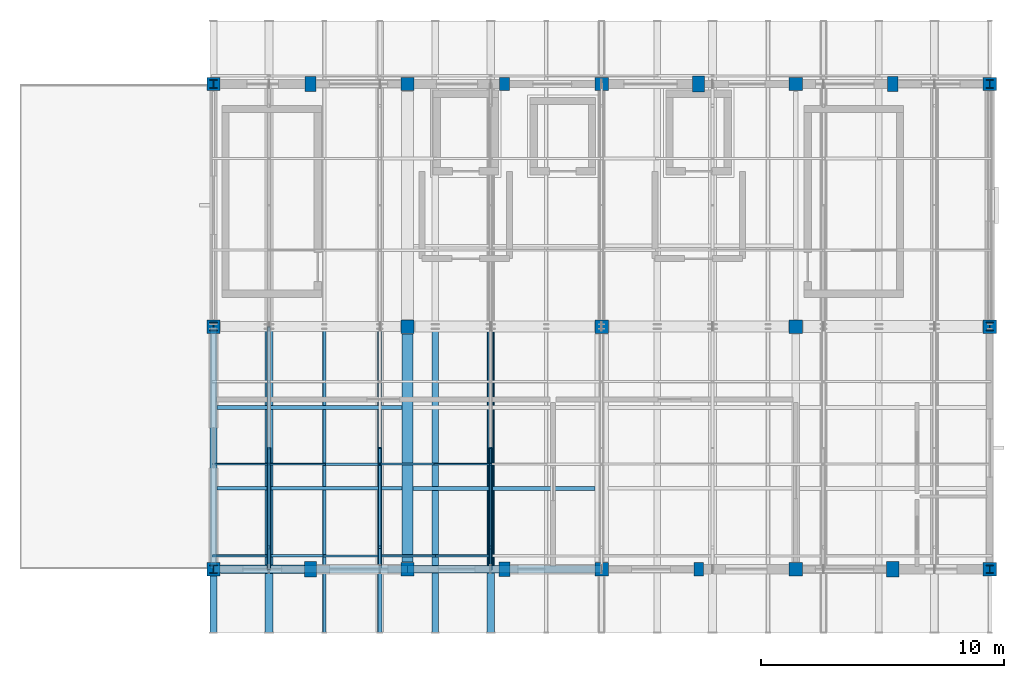
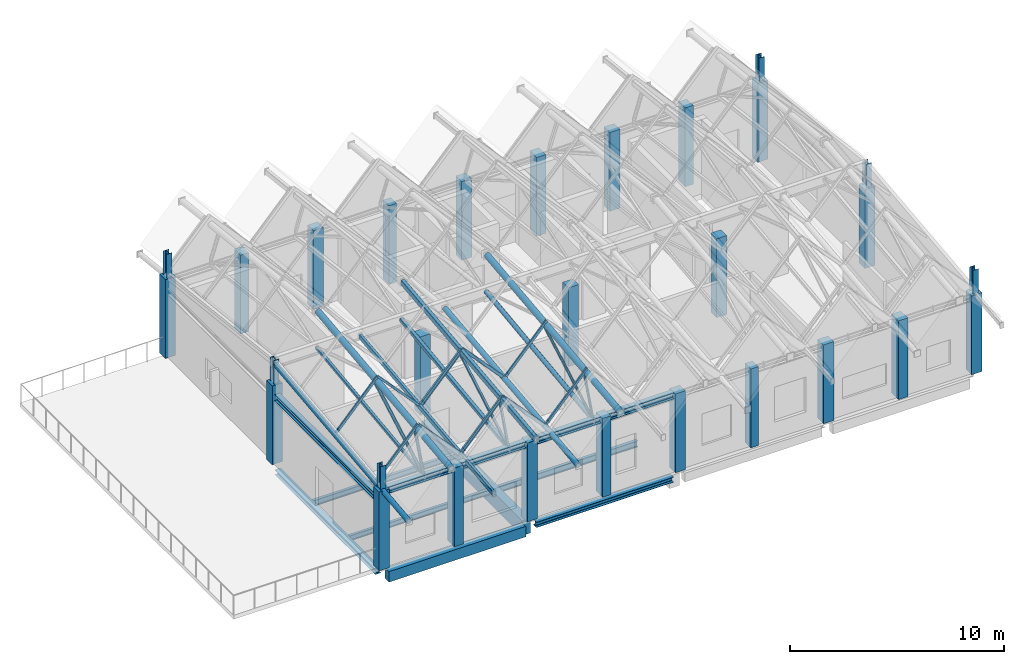
# One storey, part 1 of 15: 29 columns, 19 members, 16 beams.
"""IFC4 building model written with IfcOpenShell, lengths in metres."""

from ifc_helpers import new_model, si_unit, direction, frame, origin, origin_2d, place, context, subcontext, project, spatial, rectangle, hollow_rectangle, hollow_circle, i_section, extrude, material, material_profile, profile_set, type_object, element, save


model = new_model("IFC4")

# Units and contexts
model_context = context("Model", 3, precision=1e-05, world=origin(), true_north=direction((0.0, 1.0)))
body_context = subcontext(model_context, "Body", "Model", "MODEL_VIEW")
ifc_project = project(units=[si_unit("LENGTHUNIT", "METRE"), si_unit("AREAUNIT", "SQUARE_METRE"), si_unit("VOLUMEUNIT", "CUBIC_METRE"), si_unit("PLANEANGLEUNIT", "RADIAN"), si_unit("MASSUNIT", "GRAM", prefix="KILO")], contexts=[model_context])

# Site, building, storey
site_placement = place(None, origin())
site = spatial("IfcSite", under=ifc_project, at=site_placement, CompositionType="ELEMENT")
building_placement = place(site_placement, origin())
building = spatial("IfcBuilding", under=site, at=building_placement, Name="Luwemba Playhouse", CompositionType="ELEMENT")
storey_placement = place(building_placement, frame((0.0, 0.0, 22.800048828125)))
storey = spatial("IfcBuildingStorey", under=building, at=storey_placement, Name="L05", CompositionType="ELEMENT", Elevation=22.800048828125)

# Columns
ifc_material_1 = material(Name="Concrete C40/50", Category="concrete")
ifc_material_profile_1 = material_profile(ifc_material_1, rectangle(XDim=0.550048828125, YDim=0.550048828125, at=origin_2d()))
ifc_profile_set_1 = profile_set([ifc_material_profile_1], Name="Concrete C40/50")
column_type_1 = type_object("IfcColumnType", Name="COL-C03", PredefinedType="COLUMN", material=ifc_profile_set_1)
for number, where, z_axis, x_axis, name in (
    (1, (140.0, 95.0, 0.0), (0.0, 0.0, 1.0), (1.0, 0.0, 0.0), "L05 column 207"),
    (2, (140.0, 105.0, 0.0), (0.0, 0.0, 1.0), (1.0, 0.0, 0.0), "L05 column 208"),
    (3, (140.0, 115.0, 0.0), (0.0, 0.0, 1.0), (1.0, 0.0, 0.0), "L05 column 209"),
    (4, (148.0, 95.0, 0.0), (0.0, 0.0, 1.0), (1.0, 0.0, 0.0), "L05 column 230"),
    (5, (148.0, 105.0, 0.0), (0.0, 0.0, 1.0), (1.0, 0.0, 0.0), "L05 column 231"),
    (6, (148.0, 115.0, 0.0), (0.0, 0.0, 1.0), (1.0, 0.0, 0.0), "L05 column 232"),
    (7, (156.0, 95.0, 0.0), (0.0, 0.0, 1.0), (1.0, 0.0, 0.0), "L05 column 253"),
    (8, (156.0, 105.0, 0.0), (0.0, 0.0, 1.0), (1.0, 0.0, 0.0), "L05 column 254"),
    (9, (156.0, 115.0, 0.0), (0.0, 0.0, 1.0), (1.0, 0.0, 0.0), "L05 column 255"),
    (10, (164.0, 95.0, 0.0), (0.0, 0.0, 1.0), (1.0, 0.0, 0.0), "L05 column 276"),
    (11, (164.0, 105.0, 0.0), (0.0, 0.0, 1.0), (1.0, 0.0, 0.0), "L05 column 277"),
    (12, (164.0, 115.0, 0.0), (0.0, 0.0, 1.0), (1.0, 0.0, 0.0), "L05 column 278"),
    (13, (172.0, 95.0, 0.0), (0.0, 0.0, 1.0), (1.0, 0.0, 0.0), "L05 column 299"),
    (14, (172.0, 105.0, 0.0), (0.0, 0.0, 1.0), (1.0, 0.0, 0.0), "L05 column 300"),
    (15, (172.0, 115.0, 0.0), (0.0, 0.0, 1.0), (1.0, 0.0, 0.0), "L05 column 301"),
):
    element("IfcColumn", number, at=place(storey_placement, frame(where, z_axis=z_axis, x_axis=x_axis)), inside=storey, type_object=column_type_1, Name=name, PredefinedType="COLUMN", context=body_context, shape_type="SweptSolid", body=[
        extrude(rectangle(XDim=0.550048828125, YDim=0.550048828125, at=origin_2d()), origin(), (0.0, 0.0, 1.0), 4.5),
    ])
ifc_material_profile_2 = material_profile(ifc_material_1, rectangle(XDim=0.39990234375, YDim=0.550048828125, at=origin_2d()))
ifc_profile_set_2 = profile_set([ifc_material_profile_2], Name="Concrete C40/50")
column_type_2 = type_object("IfcColumnType", Name="COL-PIL1", PredefinedType="PILASTER", material=ifc_profile_set_2)
for number, where, z_axis, x_axis, name in (
    (16, (152.0, 115.0, 0.0), (0.0, 0.0, 1.0), (1.0, 0.0, 0.0), "L05 column 240"),
    (17, (160.0, 95.0, 0.0), (0.0, 0.0, 1.0), (1.0, 0.0, 0.0), "L05 column 262"),
):
    element("IfcColumn", number, at=place(storey_placement, frame(where, z_axis=z_axis, x_axis=x_axis)), inside=storey, type_object=column_type_2, Name=name, PredefinedType="PILASTER", context=body_context, shape_type="SweptSolid", body=[
        extrude(rectangle(XDim=0.39990234375, YDim=0.550048828125, at=origin_2d()), origin(), (0.0, 0.0, 1.0), 4.5),
    ])
ifc_material_profile_3 = material_profile(ifc_material_1, rectangle(XDim=0.449951171875, YDim=0.60009765625, at=origin_2d()))
ifc_profile_set_3 = profile_set([ifc_material_profile_3], Name="Concrete C40/50")
column_type_3 = type_object("IfcColumnType", Name="COL-PIL2", PredefinedType="PILASTER", material=ifc_profile_set_3)
for number, where, z_axis, x_axis, name in (
    (18, (144.0, 115.0, 0.0), (0.0, 0.0, 1.0), (1.0, 0.0, 0.0), "L05 column 217"),
    (19, (152.0, 95.0, 0.0), (0.0, 0.0, 1.0), (1.0, 0.0, 0.0), "L05 column 239"),
    (20, (168.0, 115.0, 0.0), (0.0, 0.0, 1.0), (1.0, 0.0, 0.0), "L05 column 286"),
):
    element("IfcColumn", number, at=place(storey_placement, frame(where, z_axis=z_axis, x_axis=x_axis)), inside=storey, type_object=column_type_3, Name=name, PredefinedType="PILASTER", context=body_context, shape_type="SweptSolid", body=[
        extrude(rectangle(XDim=0.449951171875, YDim=0.60009765625, at=origin_2d()), origin(), (0.0, 0.0, 1.0), 4.5),
    ])
ifc_material_profile_4 = material_profile(ifc_material_1, rectangle(XDim=0.5, YDim=0.64990234375, at=origin_2d()))
ifc_profile_set_4 = profile_set([ifc_material_profile_4], Name="Concrete C40/50")
column_type_4 = type_object("IfcColumnType", Name="COL-PIL3", PredefinedType="PILASTER", material=ifc_profile_set_4)
for number, where, z_axis, x_axis, name in (
    (21, (144.0, 95.0, 0.0), (0.0, 0.0, 1.0), (1.0, 0.0, 0.0), "L05 column 216"),
    (22, (160.0, 115.0, 0.0), (0.0, 0.0, 1.0), (1.0, 0.0, 0.0), "L05 column 263"),
    (23, (168.0, 95.0, 0.0), (0.0, 0.0, 1.0), (1.0, 0.0, 0.0), "L05 column 285"),
):
    element("IfcColumn", number, at=place(storey_placement, frame(where, z_axis=z_axis, x_axis=x_axis)), inside=storey, type_object=column_type_4, Name=name, PredefinedType="PILASTER", context=body_context, shape_type="SweptSolid", body=[
        extrude(rectangle(XDim=0.5, YDim=0.64990234375, at=origin_2d()), origin(), (0.0, 0.0, 1.0), 4.5),
    ])
ifc_material_2 = material(Name="Steel S355", Category="steel")
ifc_material_profile_5 = material_profile(ifc_material_2, i_section(OverallWidth=0.300048828125, OverallDepth=0.340087890625, WebThickness=0.011962890625, FlangeThickness=0.021484375, FilletRadius=0.027099609375, at=origin_2d()))
ifc_profile_set_5 = profile_set([ifc_material_profile_5], Name="Steel S355")
column_type_5 = type_object("IfcColumnType", Name="COL-SC2", PredefinedType="COLUMN", material=ifc_profile_set_5)
for number, where, z_axis, x_axis, name in (
    (24, (140.0, 95.0, 4.5), (0.0, 0.0, 1.0), (1.0, 0.0, 0.0), "RF-V6E south corner apex stub"),
    (25, (140.0, 115.0, 4.5), (0.0, 0.0, 1.0), (1.0, 0.0, 0.0), "RF-V6E north corner apex stub"),
    (26, (140.0, 105.0, 4.5), (0.0, 0.0, 1.0), (1.0, 0.0, 0.0), "RF-V6E mid corner apex stub"),
    (27, (172.0, 95.0, 4.5), (0.0, 0.0, 1.0), (1.0, 0.0, 0.0), "RF-V6E south corner apex stub"),
    (28, (172.0, 115.0, 4.5), (0.0, 0.0, 1.0), (1.0, 0.0, 0.0), "RF-V6E north corner apex stub"),
    (29, (172.0, 105.0, 4.5), (0.0, 0.0, 1.0), (1.0, 0.0, 0.0), "RF-V6E mid corner apex stub"),
):
    element("IfcColumn", number, at=place(storey_placement, frame(where, z_axis=z_axis, x_axis=x_axis)), inside=storey, type_object=column_type_5, Name=name, PredefinedType="COLUMN", context=body_context, shape_type="SweptSolid", body=[
        extrude(i_section(OverallWidth=0.300048828125, OverallDepth=0.340087890625, WebThickness=0.011962890625, FlangeThickness=0.021484375, FilletRadius=0.027099609375, at=origin_2d()), origin(), (0.0, 0.0, 1.0), 1.341552734375),
    ])

# Beams
ifc_material_profile_6 = material_profile(ifc_material_1, rectangle(XDim=0.449951171875, YDim=0.85009765625, at=origin_2d()))
ifc_profile_set_6 = profile_set([ifc_material_profile_6], Name="Concrete C40/50")
beam_type_1 = type_object("IfcBeamType", Name="BM-RB05", PredefinedType="BEAM", material=ifc_profile_set_6)
beam_1_placement = place(storey_placement, frame((148.0, 95.300048828125, -0.72509765625), z_axis=(0.0, 1.0, 0.0), x_axis=(-1.0, 0.0, 0.0)))
element("IfcBeam", 30, at=beam_1_placement, inside=storey, type_object=beam_type_1, Name="L05 transverse girder 0956", PredefinedType="BEAM", context=body_context, shape_type="SweptSolid", body=[
    extrude(rectangle(XDim=0.449951171875, YDim=0.85009765625, at=origin_2d()), origin(), (0.0, 0.0, 1.0), 9.39990234375),
])
ifc_material_profile_7 = material_profile(ifc_material_2, hollow_rectangle(XDim=0.14990234375, YDim=0.25, WallThickness=0.010009765625, InnerFilletRadius=0.014892578125, OuterFilletRadius=0.02490234375, at=origin_2d()))
ifc_profile_set_7 = profile_set([ifc_material_profile_7], Name="Steel S355")
beam_type_2 = type_object("IfcBeamType", Name="BM-RTG1", PredefinedType="USERDEFINED", material=ifc_profile_set_7)
beam_2_placement = place(storey_placement, frame((144.5712890625, 92.39990234375, 4.156982421875), z_axis=(0.0, 0.993768782613, 0.111461234087), x_axis=(-1.0, 0.0, 0.0)))
element("IfcBeam", 31, at=beam_2_placement, inside=storey, type_object=beam_type_2, Name="ROOF TRUSS valley girder 0414", ObjectType="ROOF TRUSS", PredefinedType="USERDEFINED", context=body_context, shape_type="SweptSolid", body=[
    extrude(hollow_rectangle(XDim=0.14990234375, YDim=0.25, WallThickness=0.010009765625, InnerFilletRadius=0.014892578125, OuterFilletRadius=0.02490234375, at=origin_2d()), origin(), (0.0, 0.0, 1.0), 12.568359375),
])
ifc_material_profile_8 = material_profile(ifc_material_2, hollow_rectangle(XDim=0.199951171875, YDim=0.300048828125, WallThickness=0.012451171875, InnerFilletRadius=0.018798828125, OuterFilletRadius=0.03125, at=origin_2d()))
ifc_profile_set_8 = profile_set([ifc_material_profile_8], Name="Steel S355")
beam_type_3 = type_object("IfcBeamType", Name="BM-RTG2", PredefinedType="USERDEFINED", material=ifc_profile_set_8)
beam_3_placement = place(storey_placement, frame((146.857177734375, 92.39990234375, 6.448486328125), z_axis=(0.0, 0.993766630778, 0.111480417796), x_axis=(-1.0, 0.0, 0.0)))
element("IfcBeam", 32, at=beam_3_placement, inside=storey, type_object=beam_type_3, Name="ROOF TRUSS ridge girder 0416", ObjectType="ROOF TRUSS", PredefinedType="USERDEFINED", context=body_context, shape_type="SweptSolid", body=[
    extrude(hollow_rectangle(XDim=0.199951171875, YDim=0.300048828125, WallThickness=0.012451171875, InnerFilletRadius=0.018798828125, OuterFilletRadius=0.03125, at=origin_2d()), origin(), (0.0, 0.0, 1.0), 12.568359375),
])
ifc_material_profile_9 = material_profile(ifc_material_2, hollow_circle(Radius=0.136474609375, WallThickness=0.012451171875, at=origin_2d()))
ifc_profile_set_9 = profile_set([ifc_material_profile_9], Name="Steel S355")
beam_type_4 = type_object("IfcBeamType", Name="BM-RTG3", PredefinedType="USERDEFINED", material=ifc_profile_set_9)
for number, where, z_axis, x_axis, name in (
    (33, (140.0, 92.39990234375, 4.1455078125), (0.0, 0.993766630778, 0.111480417796), (-1.0, 0.0, 0.0), "ROOF TRUSS valley girder 0410"),
    (34, (149.142822265625, 92.39990234375, 4.1455078125), (0.0, 0.993766630778, 0.111480417796), (-1.0, 0.0, 0.0), "ROOF TRUSS valley girder 0418"),
):
    element("IfcBeam", number, at=place(storey_placement, frame(where, z_axis=z_axis, x_axis=x_axis)), inside=storey, type_object=beam_type_4, Name=name, ObjectType="ROOF TRUSS", PredefinedType="USERDEFINED", context=body_context, shape_type="SweptSolid", body=[
        extrude(hollow_circle(Radius=0.136474609375, WallThickness=0.012451171875, at=origin_2d()), origin(), (0.0, 0.0, 1.0), 12.568359375),
    ])
ifc_material_profile_10 = material_profile(ifc_material_2, hollow_circle(Radius=0.161865234375, WallThickness=0.01611328125, at=origin_2d()))
ifc_profile_set_10 = profile_set([ifc_material_profile_10], Name="Steel S355")
beam_type_5 = type_object("IfcBeamType", Name="BM-RTG4", PredefinedType="USERDEFINED", material=ifc_profile_set_10)
for number, where, z_axis, x_axis, name in (
    (35, (142.28564453125, 92.39990234375, 6.369384765625), (0.0, 0.993766630778, 0.111480417796), (-1.0, 0.0, 0.0), "ROOF TRUSS ridge girder 0412"),
    (36, (151.4287109375, 92.39990234375, 6.369384765625), (0.0, 0.993768782613, 0.111461234087), (-1.0, 0.0, 0.0), "ROOF TRUSS ridge girder 0420"),
):
    element("IfcBeam", number, at=place(storey_placement, frame(where, z_axis=z_axis, x_axis=x_axis)), inside=storey, type_object=beam_type_5, Name=name, ObjectType="ROOF TRUSS", PredefinedType="USERDEFINED", context=body_context, shape_type="SweptSolid", body=[
        extrude(hollow_circle(Radius=0.161865234375, WallThickness=0.01611328125, at=origin_2d()), origin(), (0.0, 0.0, 1.0), 12.568359375),
    ])
ifc_material_profile_11 = material_profile(ifc_material_2, i_section(OverallWidth=0.300048828125, OverallDepth=0.360107421875, WebThickness=0.012451171875, FlangeThickness=0.0224609375, FilletRadius=0.027099609375, at=origin_2d()))
ifc_profile_set_11 = profile_set([ifc_material_profile_11], Name="Steel S355")
beam_type_6 = type_object("IfcBeamType", Name="BM-SB09", PredefinedType="BEAM", material=ifc_profile_set_11)
for number, where, z_axis, x_axis, name in (
    (37, (140.0, 95.0, 4.320068359375), (1.0, 0.0, 0.0), (0.0, 1.0, 0.0), "RF-V6E eave ring beam 0395"),
    (38, (148.0, 95.0, 4.320068359375), (1.0, 0.0, 0.0), (0.0, 1.0, 0.0), "RF-V6E eave ring beam 0396"),
):
    element("IfcBeam", number, at=place(storey_placement, frame(where, z_axis=z_axis, x_axis=x_axis)), inside=storey, type_object=beam_type_6, Name=name, PredefinedType="BEAM", context=body_context, shape_type="SweptSolid", body=[
        extrude(i_section(OverallWidth=0.300048828125, OverallDepth=0.360107421875, WebThickness=0.012451171875, FlangeThickness=0.0224609375, FilletRadius=0.027099609375, at=origin_2d()), origin(), (0.0, 0.0, 1.0), 8.0),
    ])
beam_4_placement = place(storey_placement, frame((140.0, 95.0, 3.780029296875), z_axis=(0.0, 1.0, 0.0), x_axis=(-1.0, 0.0, 0.0)))
element("IfcBeam", 39, at=beam_4_placement, inside=storey, type_object=beam_type_6, Name="RF-V6E gable ring beam 0403", PredefinedType="BEAM", context=body_context, shape_type="SweptSolid", body=[
    extrude(i_section(OverallWidth=0.300048828125, OverallDepth=0.360107421875, WebThickness=0.012451171875, FlangeThickness=0.0224609375, FilletRadius=0.027099609375, at=origin_2d()), origin(), (0.0, 0.0, 1.0), 10.0),
])
ifc_material_profile_12 = material_profile(ifc_material_2, i_section(OverallWidth=0.14990234375, OverallDepth=0.300048828125, WebThickness=0.007080078125, FlangeThickness=0.0107421875, FilletRadius=0.014892578125, at=origin_2d()))
ifc_profile_set_12 = profile_set([ifc_material_profile_12], Name="Steel S355")
beam_type_7 = type_object("IfcBeamType", Name="BM-SJ05", PredefinedType="JOIST", material=ifc_profile_set_12)
beam_5_placement = place(storey_placement, frame((140.14599609375, 98.333251953125, -0.449951171875), z_axis=(1.0, 0.0, 0.0), x_axis=(0.0, 1.0, 0.0)))
element("IfcBeam", 40, at=beam_5_placement, inside=storey, type_object=beam_type_7, Name="L05 composite floor joist 0536", PredefinedType="JOIST", context=body_context, shape_type="SweptSolid", body=[
    extrude(i_section(OverallWidth=0.14990234375, OverallDepth=0.300048828125, WebThickness=0.007080078125, FlangeThickness=0.0107421875, FilletRadius=0.014892578125, at=origin_2d()), origin(), (0.0, 0.0, 1.0), 7.633056640625),
])
ifc_material_profile_13 = material_profile(ifc_material_2, i_section(OverallWidth=0.159912109375, OverallDepth=0.330078125, WebThickness=0.007568359375, FlangeThickness=0.011474609375, FilletRadius=0.01806640625, at=origin_2d()))
ifc_profile_set_13 = profile_set([ifc_material_profile_13], Name="Steel S355")
beam_type_8 = type_object("IfcBeamType", Name="BM-SJ06", PredefinedType="JOIST", material=ifc_profile_set_13)
beam_6_placement = place(storey_placement, frame((140.14599609375, 101.666748046875, -0.465087890625), z_axis=(1.0, 0.0, 0.0), x_axis=(0.0, 1.0, 0.0)))
element("IfcBeam", 41, at=beam_6_placement, inside=storey, type_object=beam_type_8, Name="L05 composite floor joist 0537", PredefinedType="JOIST", context=body_context, shape_type="SweptSolid", body=[
    extrude(i_section(OverallWidth=0.159912109375, OverallDepth=0.330078125, WebThickness=0.007568359375, FlangeThickness=0.011474609375, FilletRadius=0.01806640625, at=origin_2d()), origin(), (0.0, 0.0, 1.0), 7.633056640625),
])
ifc_material_profile_14 = material_profile(ifc_material_2, i_section(OverallWidth=0.169921875, OverallDepth=0.360107421875, WebThickness=0.008056640625, FlangeThickness=0.0126953125, FilletRadius=0.01806640625, at=origin_2d()))
ifc_profile_set_14 = profile_set([ifc_material_profile_14], Name="Steel S355")
beam_type_9 = type_object("IfcBeamType", Name="BM-SJ07", PredefinedType="JOIST", material=ifc_profile_set_14)
beam_7_placement = place(storey_placement, frame((148.220947265625, 98.333251953125, -0.47998046875), z_axis=(1.0, 0.0, 0.0), x_axis=(0.0, 1.0, 0.0)))
element("IfcBeam", 42, at=beam_7_placement, inside=storey, type_object=beam_type_9, Name="L05 composite floor joist 0538", PredefinedType="JOIST", context=body_context, shape_type="SweptSolid", body=[
    extrude(i_section(OverallWidth=0.169921875, OverallDepth=0.360107421875, WebThickness=0.008056640625, FlangeThickness=0.0126953125, FilletRadius=0.01806640625, at=origin_2d()), origin(), (0.0, 0.0, 1.0), 7.508056640625),
])
ifc_material_profile_15 = material_profile(ifc_material_1, rectangle(XDim=0.35009765625, YDim=0.60009765625, at=origin_2d()))
ifc_profile_set_15 = profile_set([ifc_material_profile_15], Name="Concrete C40/50")
beam_type_10 = type_object("IfcBeamType", Name="BM-SP3", PredefinedType="SPANDREL", material=ifc_profile_set_15)
beam_8_placement = place(storey_placement, frame((140.300048828125, 95.0, -0.60009765625), z_axis=(1.0, 0.0, 0.0), x_axis=(0.0, 1.0, 0.0)))
element("IfcBeam", 43, at=beam_8_placement, inside=storey, type_object=beam_type_10, Name="L05 grid girder 0942", PredefinedType="SPANDREL", context=body_context, shape_type="SweptSolid", body=[
    extrude(rectangle(XDim=0.35009765625, YDim=0.60009765625, at=origin_2d()), origin(), (0.0, 0.0, 1.0), 7.39990234375),
])
ifc_material_profile_16 = material_profile(ifc_material_2, i_section(OverallWidth=0.300048828125, OverallDepth=0.300048828125, WebThickness=0.010986328125, FlangeThickness=0.01904296875, FilletRadius=0.027099609375, at=origin_2d()))
ifc_profile_set_16 = profile_set([ifc_material_profile_16], Name="Steel S355")
beam_type_11 = type_object("IfcBeamType", Name="BM-SSP1", PredefinedType="SPANDREL", material=ifc_profile_set_16)
beam_9_placement = place(storey_placement, frame((148.300048828125, 95.0, -0.449951171875), z_axis=(1.0, 0.0, 0.0), x_axis=(0.0, 1.0, 0.0)))
element("IfcBeam", 44, at=beam_9_placement, inside=storey, type_object=beam_type_11, Name="L05 grid girder 0943", PredefinedType="SPANDREL", context=body_context, shape_type="SweptSolid", body=[
    extrude(i_section(OverallWidth=0.300048828125, OverallDepth=0.300048828125, WebThickness=0.010986328125, FlangeThickness=0.01904296875, FilletRadius=0.027099609375, at=origin_2d()), origin(), (0.0, 0.0, 1.0), 7.39990234375),
])
beam_10_placement = place(storey_placement, frame((140.0, 95.300048828125, -0.449951171875), z_axis=(0.0, 1.0, 0.0), x_axis=(-1.0, 0.0, 0.0)))
element("IfcBeam", 45, at=beam_10_placement, inside=storey, type_object=beam_type_11, Name="L05 transverse girder 0954", PredefinedType="SPANDREL", context=body_context, shape_type="SweptSolid", body=[
    extrude(i_section(OverallWidth=0.300048828125, OverallDepth=0.300048828125, WebThickness=0.010986328125, FlangeThickness=0.01904296875, FilletRadius=0.027099609375, at=origin_2d()), origin(), (0.0, 0.0, 1.0), 9.39990234375),
])

# Members
ifc_material_profile_17 = material_profile(ifc_material_2, hollow_circle(Radius=0.06982421875, WallThickness=0.008056640625, at=origin_2d()))
ifc_profile_set_17 = profile_set([ifc_material_profile_17], Name="Steel S355")
member_type_1 = type_object("IfcMemberType", Name="MEM-MB01", PredefinedType="BRACE", material=ifc_profile_set_17)
member_1_placement = place(storey_placement, frame((151.4287109375, 95.0, 4.39990234375), z_axis=(0.0, 0.870865998229, 0.491520511403), x_axis=(-1.0, 0.0, 0.0)))
element("IfcMember", 46, at=member_1_placement, inside=storey, type_object=member_type_1, Name="ROOF TRUSS web diagonal 0363", PredefinedType="BRACE", context=body_context, shape_type="SweptSolid", body=[
    extrude(hollow_circle(Radius=0.06982421875, WallThickness=0.008056640625, at=origin_2d()), origin(), (0.0, 0.0, 1.0), 5.741455078125),
])
member_2_placement = place(storey_placement, frame((151.4287109375, 95.0, 4.39990234375), z_axis=(0.0, 0.356019426391, 0.934478554078), x_axis=(-1.0, 0.0, 0.0)))
element("IfcMember", 47, at=member_2_placement, inside=storey, type_object=member_type_1, Name="ROOF TRUSS eave knee strut 0104", PredefinedType="BRACE", context=body_context, shape_type="SweptSolid", body=[
    extrude(hollow_circle(Radius=0.06982421875, WallThickness=0.008056640625, at=origin_2d()), origin(), (0.0, 0.0, 1.0), 2.527587890625),
])
ifc_material_profile_18 = material_profile(ifc_material_2, hollow_circle(Radius=0.084228515625, WallThickness=0.008056640625, at=origin_2d()))
ifc_profile_set_18 = profile_set([ifc_material_profile_18], Name="Steel S355")
member_type_2 = type_object("IfcMemberType", Name="MEM-MB02", PredefinedType="BRACE", material=ifc_profile_set_18)
member_3_placement = place(storey_placement, frame((142.28564453125, 95.0, 4.39990234375), z_axis=(0.0, 0.870865998229, 0.491520511403), x_axis=(-1.0, 0.0, 0.0)))
element("IfcMember", 48, at=member_3_placement, inside=storey, type_object=member_type_2, Name="ROOF TRUSS web diagonal 0351", PredefinedType="BRACE", context=body_context, shape_type="SweptSolid", body=[
    extrude(hollow_circle(Radius=0.084228515625, WallThickness=0.008056640625, at=origin_2d()), origin(), (0.0, 0.0, 1.0), 5.741455078125),
])
member_4_placement = place(storey_placement, frame((142.28564453125, 95.0, 4.39990234375), z_axis=(0.0, 0.356019426391, 0.934478554078), x_axis=(-1.0, 0.0, 0.0)))
element("IfcMember", 49, at=member_4_placement, inside=storey, type_object=member_type_2, Name="ROOF TRUSS eave knee strut 0100", PredefinedType="BRACE", context=body_context, shape_type="SweptSolid", body=[
    extrude(hollow_circle(Radius=0.084228515625, WallThickness=0.008056640625, at=origin_2d()), origin(), (0.0, 0.0, 1.0), 2.527587890625),
])
ifc_material_profile_19 = material_profile(ifc_material_2, hollow_rectangle(XDim=0.1201171875, YDim=0.1201171875, WallThickness=0.008056640625, InnerFilletRadius=0.011962890625, OuterFilletRadius=0.02001953125, at=origin_2d()))
ifc_profile_set_19 = profile_set([ifc_material_profile_19], Name="Steel S355")
member_type_3 = type_object("IfcMemberType", Name="MEM-MB06", PredefinedType="BRACE", material=ifc_profile_set_19)
member_5_placement = place(storey_placement, frame((146.857177734375, 95.0, 4.39990234375), z_axis=(0.0, 0.864946861272, 0.501863454712), x_axis=(-1.0, 0.0, 0.0)))
element("IfcMember", 50, at=member_5_placement, inside=storey, type_object=member_type_3, Name="ROOF TRUSS web diagonal 0357", PredefinedType="BRACE", context=body_context, shape_type="SweptSolid", body=[
    extrude(hollow_rectangle(XDim=0.1201171875, YDim=0.1201171875, WallThickness=0.008056640625, InnerFilletRadius=0.011962890625, OuterFilletRadius=0.02001953125, at=origin_2d()), origin(), (0.0, 0.0, 1.0), 5.78076171875),
])
member_6_placement = place(storey_placement, frame((146.857177734375, 95.0, 4.39990234375), z_axis=(0.0, 0.345883643125, 0.938277413891), x_axis=(-1.0, 0.0, 0.0)))
element("IfcMember", 51, at=member_6_placement, inside=storey, type_object=member_type_3, Name="ROOF TRUSS eave knee strut 0102", PredefinedType="BRACE", context=body_context, shape_type="SweptSolid", body=[
    extrude(hollow_rectangle(XDim=0.1201171875, YDim=0.1201171875, WallThickness=0.008056640625, InnerFilletRadius=0.011962890625, OuterFilletRadius=0.02001953125, at=origin_2d()), origin(), (0.0, 0.0, 1.0), 2.601806640625),
])
ifc_material_profile_20 = material_profile(ifc_material_2, hollow_circle(Radius=0.122314453125, WallThickness=0.012451171875, at=origin_2d()))
ifc_profile_set_20 = profile_set([ifc_material_profile_20], Name="Steel S355")
member_type_4 = type_object("IfcMemberType", Name="MEM-MC01", PredefinedType="CHORD", material=ifc_profile_set_20)
member_7_placement = place(storey_placement, frame((151.4287109375, 95.0, 4.39990234375), z_axis=(0.0, 0.992378930096, 0.12322361422), x_axis=(-1.0, 0.0, 0.0)))
element("IfcMember", 52, at=member_7_placement, inside=storey, type_object=member_type_4, Name="ROOF TRUSS south bottom chord 0361", PredefinedType="CHORD", context=body_context, shape_type="SweptSolid", body=[
    extrude(hollow_circle(Radius=0.122314453125, WallThickness=0.012451171875, at=origin_2d()), origin(), (0.0, 0.0, 1.0), 10.076904296875),
])
ifc_material_profile_21 = material_profile(ifc_material_2, hollow_rectangle(XDim=0.14990234375, YDim=0.14990234375, WallThickness=0.010009765625, InnerFilletRadius=0.014892578125, OuterFilletRadius=0.02490234375, at=origin_2d()))
ifc_profile_set_21 = profile_set([ifc_material_profile_21], Name="Steel S355")
member_type_5 = type_object("IfcMemberType", Name="MEM-MC02", PredefinedType="CHORD", material=ifc_profile_set_21)
member_8_placement = place(storey_placement, frame((142.28564453125, 95.0, 4.39990234375), z_axis=(0.0, 0.992378930096, 0.12322361422), x_axis=(-1.0, 0.0, 0.0)))
element("IfcMember", 53, at=member_8_placement, inside=storey, type_object=member_type_5, Name="ROOF TRUSS south bottom chord 0349", PredefinedType="CHORD", context=body_context, shape_type="SweptSolid", body=[
    extrude(hollow_rectangle(XDim=0.14990234375, YDim=0.14990234375, WallThickness=0.010009765625, InnerFilletRadius=0.014892578125, OuterFilletRadius=0.02490234375, at=origin_2d()), origin(), (0.0, 0.0, 1.0), 10.076904296875),
])
ifc_material_profile_22 = material_profile(ifc_material_2, hollow_rectangle(XDim=0.199951171875, YDim=0.199951171875, WallThickness=0.012451171875, InnerFilletRadius=0.018798828125, OuterFilletRadius=0.03125, at=origin_2d()))
ifc_profile_set_22 = profile_set([ifc_material_profile_22], Name="Steel S355")
member_type_6 = type_object("IfcMemberType", Name="MEM-MC04", PredefinedType="CHORD", material=ifc_profile_set_22)
member_9_placement = place(storey_placement, frame((146.857177734375, 95.0, 4.39990234375), z_axis=(0.0, 0.992378930096, 0.12322361422), x_axis=(-1.0, 0.0, 0.0)))
element("IfcMember", 54, at=member_9_placement, inside=storey, type_object=member_type_6, Name="ROOF TRUSS south bottom chord 0355", PredefinedType="CHORD", context=body_context, shape_type="SweptSolid", body=[
    extrude(hollow_rectangle(XDim=0.199951171875, YDim=0.199951171875, WallThickness=0.012451171875, InnerFilletRadius=0.018798828125, OuterFilletRadius=0.03125, at=origin_2d()), origin(), (0.0, 0.0, 1.0), 10.076904296875),
])
ifc_material_profile_23 = material_profile(ifc_material_2, hollow_rectangle(XDim=0.080078125, YDim=0.1201171875, WallThickness=0.00634765625, InnerFilletRadius=0.009521484375, OuterFilletRadius=0.015869140625, at=origin_2d()))
ifc_profile_set_23 = profile_set([ifc_material_profile_23], Name="Steel S355")
member_type_7 = type_object("IfcMemberType", Name="MEM-MP01", PredefinedType="PURLIN", material=ifc_profile_set_23)
member_10_placement = place(storey_placement, frame((142.28564453125, 99.330078125, 7.439453125), z_axis=(0.677925133331, 0.0, -0.735130949966), x_axis=(0.0, 1.0, 0.0)))
element("IfcMember", 55, at=member_10_placement, inside=storey, type_object=member_type_7, Name="Pleated roof purlin 0704", PredefinedType="PURLIN", context=body_context, shape_type="SweptSolid", body=[
    extrude(hollow_rectangle(XDim=0.080078125, YDim=0.1201171875, WallThickness=0.00634765625, InnerFilletRadius=0.009521484375, OuterFilletRadius=0.015869140625, at=origin_2d()), origin(), (0.0, 0.0, 1.0), 3.37158203125),
])
ifc_material_profile_24 = material_profile(ifc_material_2, hollow_rectangle(XDim=0.10009765625, YDim=0.14990234375, WallThickness=0.008056640625, InnerFilletRadius=0.011962890625, OuterFilletRadius=0.02001953125, at=origin_2d()))
ifc_profile_set_24 = profile_set([ifc_material_profile_24], Name="Steel S355")
member_type_8 = type_object("IfcMemberType", Name="MEM-MP02", PredefinedType="PURLIN", material=ifc_profile_set_24)
member_11_placement = place(storey_placement, frame((140.0, 95.550048828125, 4.51123046875), z_axis=(0.677961222164, 0.0, 0.735097667825), x_axis=(0.0, 1.0, 0.0)))
element("IfcMember", 56, at=member_11_placement, inside=storey, type_object=member_type_8, Name="Pleated roof purlin 0697", PredefinedType="PURLIN", context=body_context, shape_type="SweptSolid", body=[
    extrude(hollow_rectangle(XDim=0.10009765625, YDim=0.14990234375, WallThickness=0.008056640625, InnerFilletRadius=0.011962890625, OuterFilletRadius=0.02001953125, at=origin_2d()), origin(), (0.0, 0.0, 1.0), 3.371337890625),
])
member_12_placement = place(storey_placement, frame((149.142822265625, 95.550048828125, 4.51123046875), z_axis=(0.678000350765, 0.0, 0.73506157862), x_axis=(0.0, 1.0, 0.0)))
element("IfcMember", 57, at=member_12_placement, inside=storey, type_object=member_type_8, Name="Pleated roof purlin 0721", PredefinedType="PURLIN", context=body_context, shape_type="SweptSolid", body=[
    extrude(hollow_rectangle(XDim=0.10009765625, YDim=0.14990234375, WallThickness=0.008056640625, InnerFilletRadius=0.011962890625, OuterFilletRadius=0.02001953125, at=origin_2d()), origin(), (0.0, 0.0, 1.0), 3.37158203125),
])
ifc_material_profile_25 = material_profile(ifc_material_2, hollow_rectangle(XDim=0.080078125, YDim=0.159912109375, WallThickness=0.00634765625, InnerFilletRadius=0.009521484375, OuterFilletRadius=0.015869140625, at=origin_2d()))
ifc_profile_set_25 = profile_set([ifc_material_profile_25], Name="Steel S355")
member_type_9 = type_object("IfcMemberType", Name="MEM-MP03", PredefinedType="PURLIN", material=ifc_profile_set_25)
member_13_placement = place(storey_placement, frame((140.0, 99.330078125, 4.941162109375), z_axis=(0.677997313204, 0.0, 0.73506438037), x_axis=(0.0, 1.0, 0.0)))
element("IfcMember", 58, at=member_13_placement, inside=storey, type_object=member_type_9, Name="Pleated roof purlin 0698", PredefinedType="PURLIN", context=body_context, shape_type="SweptSolid", body=[
    extrude(hollow_rectangle(XDim=0.080078125, YDim=0.159912109375, WallThickness=0.00634765625, InnerFilletRadius=0.009521484375, OuterFilletRadius=0.015869140625, at=origin_2d()), origin(), (0.0, 0.0, 1.0), 3.37109375),
])
member_14_placement = place(storey_placement, frame((149.142822265625, 99.330078125, 4.941162109375), z_axis=(0.678000350765, 0.0, 0.73506157862), x_axis=(0.0, 1.0, 0.0)))
element("IfcMember", 59, at=member_14_placement, inside=storey, type_object=member_type_9, Name="Pleated roof purlin 0722", PredefinedType="PURLIN", context=body_context, shape_type="SweptSolid", body=[
    extrude(hollow_rectangle(XDim=0.080078125, YDim=0.159912109375, WallThickness=0.00634765625, InnerFilletRadius=0.009521484375, OuterFilletRadius=0.015869140625, at=origin_2d()), origin(), (0.0, 0.0, 1.0), 3.37158203125),
])
ifc_material_profile_26 = material_profile(ifc_material_2, hollow_rectangle(XDim=0.10009765625, YDim=0.179931640625, WallThickness=0.008056640625, InnerFilletRadius=0.011962890625, OuterFilletRadius=0.02001953125, at=origin_2d()))
ifc_profile_set_26 = profile_set([ifc_material_profile_26], Name="Steel S355")
member_type_10 = type_object("IfcMemberType", Name="MEM-MP04", PredefinedType="PURLIN", material=ifc_profile_set_26)
member_15_placement = place(storey_placement, frame((146.857177734375, 95.550048828125, 6.974609375), z_axis=(0.677925133331, 0.0, -0.735130949966), x_axis=(0.0, 1.0, 0.0)))
element("IfcMember", 60, at=member_15_placement, inside=storey, type_object=member_type_10, Name="Pleated roof purlin 0715", PredefinedType="PURLIN", context=body_context, shape_type="SweptSolid", body=[
    extrude(hollow_rectangle(XDim=0.10009765625, YDim=0.179931640625, WallThickness=0.008056640625, InnerFilletRadius=0.011962890625, OuterFilletRadius=0.02001953125, at=origin_2d()), origin(), (0.0, 0.0, 1.0), 3.37158203125),
])
ifc_material_profile_27 = material_profile(ifc_material_2, i_section(OverallWidth=0.08203125, OverallDepth=0.159912109375, WebThickness=0.0048828125, FlangeThickness=0.00732421875, FilletRadius=0.009033203125, at=origin_2d()))
ifc_profile_set_27 = profile_set([ifc_material_profile_27], Name="Steel S355")
member_type_11 = type_object("IfcMemberType", Name="MEM-MP05", PredefinedType="PURLIN", material=ifc_profile_set_27)
member_16_placement = place(storey_placement, frame((146.857177734375, 99.330078125, 7.418212890625), z_axis=(0.677961222164, 0.0, -0.735097667825), x_axis=(0.0, 1.0, 0.0)))
element("IfcMember", 61, at=member_16_placement, inside=storey, type_object=member_type_11, Name="Pleated roof purlin 0716", PredefinedType="PURLIN", context=body_context, shape_type="SweptSolid", body=[
    extrude(i_section(OverallWidth=0.08203125, OverallDepth=0.159912109375, WebThickness=0.0048828125, FlangeThickness=0.00732421875, FilletRadius=0.009033203125, at=origin_2d()), origin(), (0.0, 0.0, 1.0), 3.371337890625),
])
ifc_material_profile_28 = material_profile(ifc_material_2, i_section(OverallWidth=0.091064453125, OverallDepth=0.179931640625, WebThickness=0.00537109375, FlangeThickness=0.008056640625, FilletRadius=0.009033203125, at=origin_2d()))
ifc_profile_set_28 = profile_set([ifc_material_profile_28], Name="Steel S355")
member_type_12 = type_object("IfcMemberType", Name="MEM-MP06", PredefinedType="PURLIN", material=ifc_profile_set_28)
member_17_placement = place(storey_placement, frame((144.5712890625, 95.550048828125, 4.5009765625), z_axis=(0.678000350765, 0.0, 0.73506157862), x_axis=(0.0, 1.0, 0.0)))
element("IfcMember", 62, at=member_17_placement, inside=storey, type_object=member_type_12, Name="Pleated roof purlin 0709", PredefinedType="PURLIN", context=body_context, shape_type="SweptSolid", body=[
    extrude(i_section(OverallWidth=0.091064453125, OverallDepth=0.179931640625, WebThickness=0.00537109375, FlangeThickness=0.008056640625, FilletRadius=0.009033203125, at=origin_2d()), origin(), (0.0, 0.0, 1.0), 3.37158203125),
])
ifc_material_profile_29 = material_profile(ifc_material_2, i_section(OverallWidth=0.10009765625, OverallDepth=0.199951171875, WebThickness=0.005615234375, FlangeThickness=0.008544921875, FilletRadius=0.011962890625, at=origin_2d()))
ifc_profile_set_29 = profile_set([ifc_material_profile_29], Name="Steel S355")
member_type_13 = type_object("IfcMemberType", Name="MEM-MP07", PredefinedType="PURLIN", material=ifc_profile_set_29)
member_18_placement = place(storey_placement, frame((144.5712890625, 99.330078125, 4.91015625), z_axis=(0.678000350765, 0.0, 0.73506157862), x_axis=(0.0, 1.0, 0.0)))
element("IfcMember", 63, at=member_18_placement, inside=storey, type_object=member_type_13, Name="Pleated roof purlin 0710", PredefinedType="PURLIN", context=body_context, shape_type="SweptSolid", body=[
    extrude(i_section(OverallWidth=0.10009765625, OverallDepth=0.199951171875, WebThickness=0.005615234375, FlangeThickness=0.008544921875, FilletRadius=0.011962890625, at=origin_2d()), origin(), (0.0, 0.0, 1.0), 3.37158203125),
])
ifc_material_profile_30 = material_profile(ifc_material_2, i_section(OverallWidth=0.110107421875, OverallDepth=0.219970703125, WebThickness=0.005859375, FlangeThickness=0.00927734375, FilletRadius=0.011962890625, at=origin_2d()))
ifc_profile_set_30 = profile_set([ifc_material_profile_30], Name="Steel S355")
member_type_14 = type_object("IfcMemberType", Name="MEM-MP08", PredefinedType="PURLIN", material=ifc_profile_set_30)
member_19_placement = place(storey_placement, frame((142.28564453125, 95.550048828125, 6.948974609375), z_axis=(0.677961222164, 0.0, -0.735097667825), x_axis=(0.0, 1.0, 0.0)))
element("IfcMember", 64, at=member_19_placement, inside=storey, type_object=member_type_14, Name="Pleated roof purlin 0703", PredefinedType="PURLIN", context=body_context, shape_type="SweptSolid", body=[
    extrude(i_section(OverallWidth=0.110107421875, OverallDepth=0.219970703125, WebThickness=0.005859375, FlangeThickness=0.00927734375, FilletRadius=0.011962890625, at=origin_2d()), origin(), (0.0, 0.0, 1.0), 3.371337890625),
])

save(model, "model.ifc")
